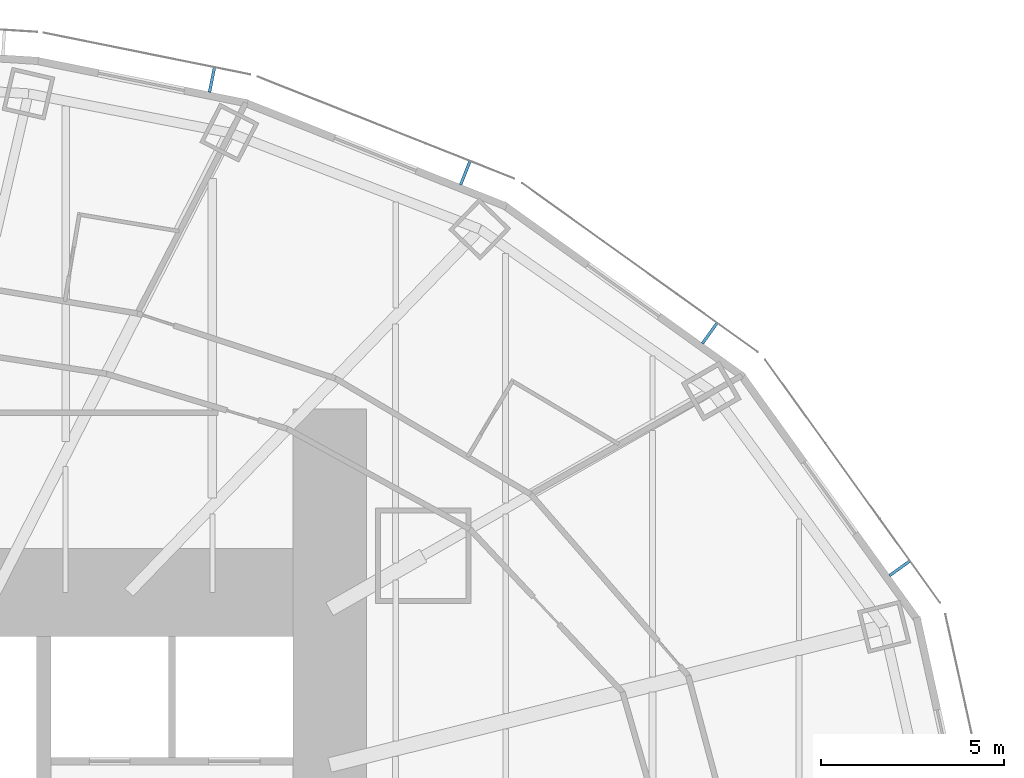
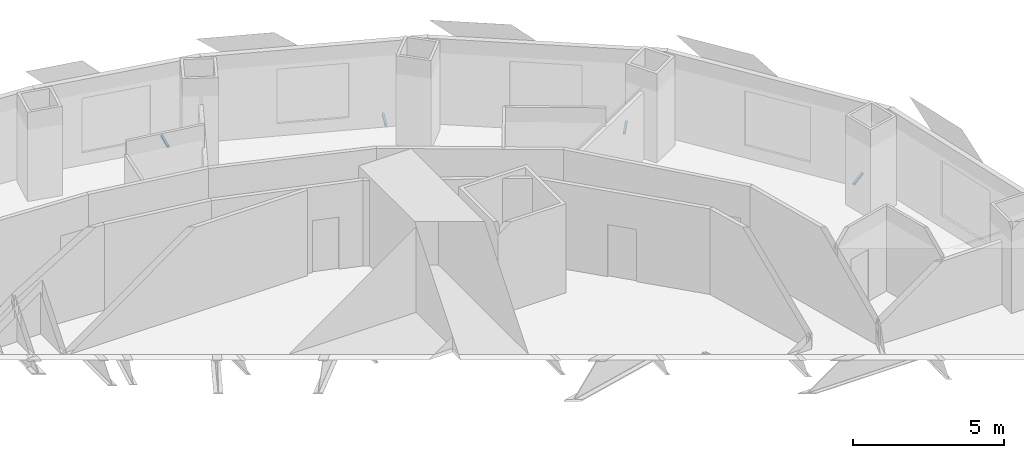
# One storey, part 12 of 15: 4 discrete accessories.
"""IFC4 building model written with IfcOpenShell, lengths in metres."""

from ifc_helpers import new_model, si_unit, direction, frame, origin, origin_2d, place, context, subcontext, project, spatial, rectangle, extrude, element, save


model = new_model("IFC4")

# Units and contexts
model_context = context("Model", 3, precision=1e-05, world=origin(), true_north=direction((0.0, 1.0)))
body_context = subcontext(model_context, "Body", "Model", "MODEL_VIEW")
ifc_project = project(units=[si_unit("LENGTHUNIT", "METRE"), si_unit("AREAUNIT", "SQUARE_METRE"), si_unit("VOLUMEUNIT", "CUBIC_METRE"), si_unit("PLANEANGLEUNIT", "RADIAN"), si_unit("MASSUNIT", "GRAM", prefix="KILO")], contexts=[model_context])

# Site, building, storey
site_placement = place(None, origin())
site = spatial("IfcSite", under=ifc_project, at=site_placement, CompositionType="ELEMENT")
building_placement = place(site_placement, origin())
building = spatial("IfcBuilding", under=site, at=building_placement, Name="Lantaw Convention Tower", CompositionType="ELEMENT")
storey_placement = place(building_placement, frame((0.0, 0.0, 62.199951171875)))
storey = spatial("IfcBuildingStorey", under=building, at=storey_placement, Name="L13", CompositionType="ELEMENT", Elevation=62.199951171875)

# Discrete accessories
for number, where, z_axis, x_axis, name in (
    (1, (28.745849609375, 8.65869140625, -0.114990234375), (0.0, 0.0, 1.0), (-0.583951250436, 0.811788726895, 0.0), "Screen bracket"),
    (2, (23.564453125, 15.06640625, -0.114990234375), (0.0, 0.0, 1.0), (-0.812803733199, 0.5825376308, 0.0), "Screen bracket"),
    (3, (16.898193359375, 19.4345703125, -0.114990234375), (0.0, 0.0, 1.0), (-0.929361152748, 0.369171840425, 0.0), "Screen bracket"),
    (4, (9.990478515625, 21.974365234375, -0.114990234375), (0.0, 0.0, 1.0), (-0.980244604501, 0.197789067813, 0.0), "Screen bracket"),
):
    element("IfcDiscreteAccessory", number, at=place(storey_placement, frame(where, z_axis=z_axis, x_axis=x_axis)), inside=storey, Name=name, PredefinedType="BRACKET", context=body_context, shape_type="SweptSolid", body=[
        extrude(rectangle(XDim=0.080078125, YDim=0.68798828125, at=origin_2d()), origin(), (0.0, 0.0, 1.0), 0.080078125),
    ])

save(model, "model.ifc")
